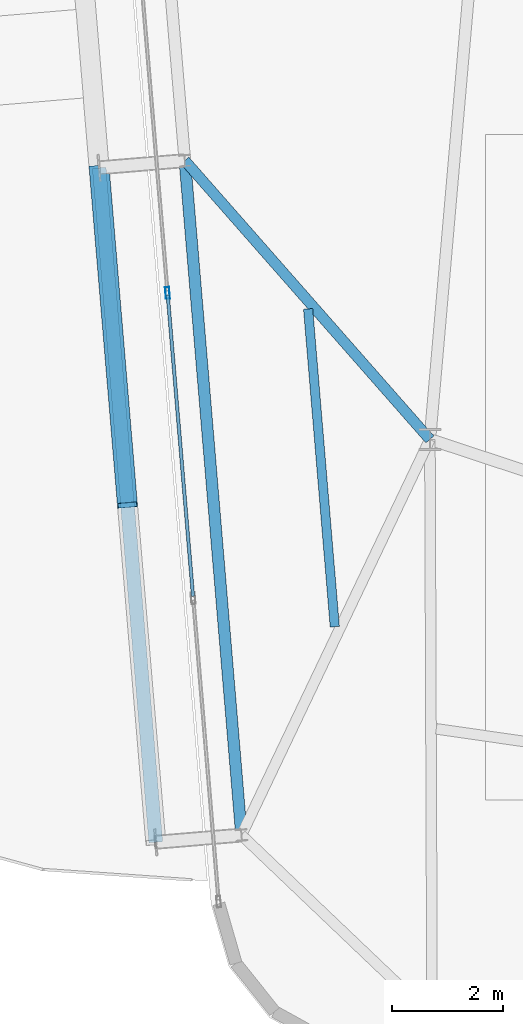
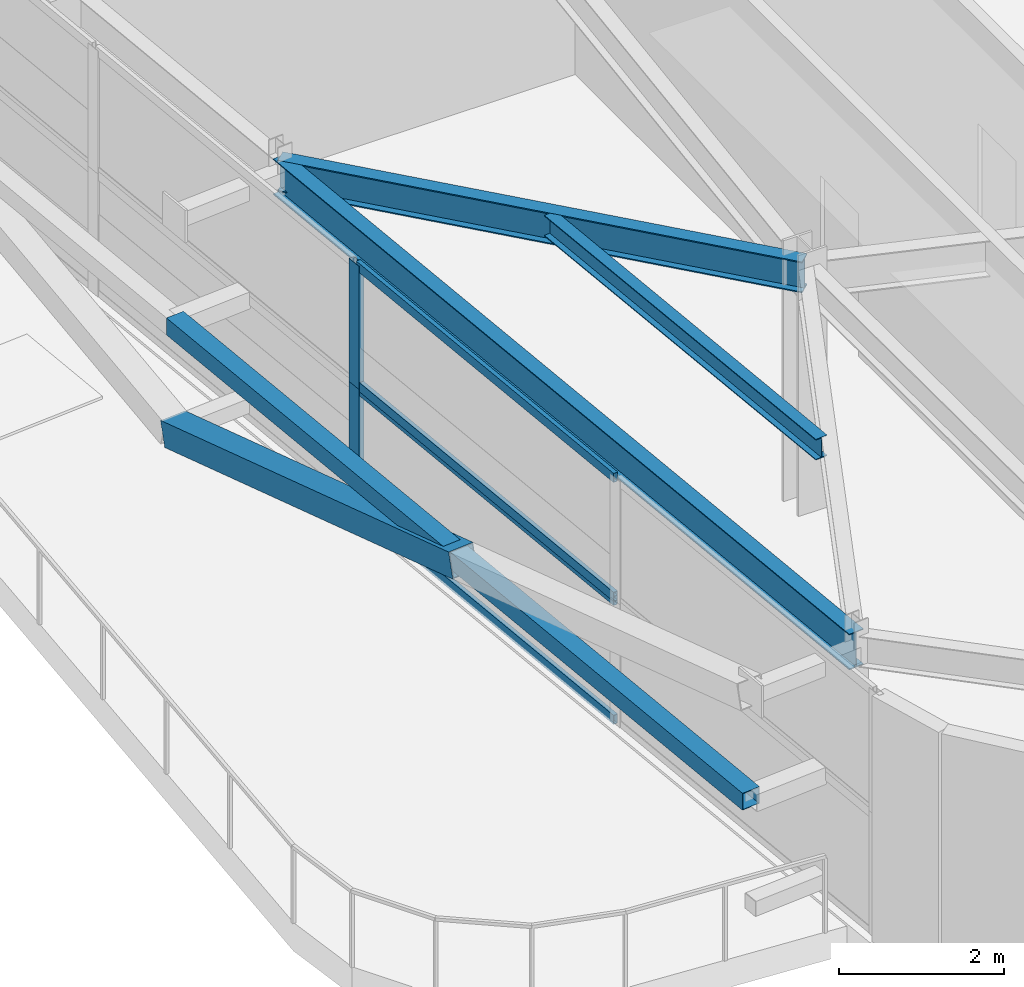
# One storey, part 8 of 38: 8 members, 3 beams, 2 elements without a shape of their own.
"""IFC4 building model written with IfcOpenShell, lengths in metres."""

from ifc_helpers import new_model, si_unit, direction, frame, origin, origin_2d, place, context, subcontext, project, spatial, hollow_rectangle, i_section, extrude, source, transform, mapped, material, layer, layer_set, material_profile, profile_set, type_object, element, aggregate, save


model = new_model("IFC4")

# Units and contexts
model_context = context("Model", 3, precision=1e-05, world=origin(), true_north=direction((0.0, 1.0)))
body_context = subcontext(model_context, "Body", "Model", "MODEL_VIEW")
ifc_project = project(units=[si_unit("LENGTHUNIT", "METRE"), si_unit("AREAUNIT", "SQUARE_METRE"), si_unit("VOLUMEUNIT", "CUBIC_METRE"), si_unit("PLANEANGLEUNIT", "RADIAN"), si_unit("MASSUNIT", "GRAM", prefix="KILO")], contexts=[model_context])

# Site, building, storey
site_placement = place(None, origin())
site = spatial("IfcSite", under=ifc_project, at=site_placement, CompositionType="ELEMENT")
building_placement = place(site_placement, origin())
building = spatial("IfcBuilding", under=site, at=building_placement, Name="Taldren Reach Tower", CompositionType="ELEMENT")
storey_placement = place(building_placement, frame((0.0, 0.0, 168.699951171875)))
storey = spatial("IfcBuildingStorey", under=building, at=storey_placement, Name="L51", CompositionType="ELEMENT", Elevation=168.699951171875)

# Beams
ifc_material_1 = material(Name="Steel Gr 350 (350PLUS)", Category="steel")
ifc_material_profile_1 = material_profile(ifc_material_1, i_section(OverallWidth=0.208984375, OverallDepth=0.528076171875, WebThickness=0.009521484375, FlangeThickness=0.01318359375, at=origin_2d()), Name="530UB82.0")
ifc_profile_set_1 = profile_set([ifc_material_profile_1], Name="Steel Gr 350 (350PLUS)")
beam_type_1 = type_object("IfcBeamType", Name="SP-UB530B", PredefinedType="SPANDREL", material=ifc_profile_set_1)
shared_shape_1 = source(origin(), body_context, "Body", "SweptSolid", [
    extrude(i_section(OverallWidth=0.208984375, OverallDepth=0.528076171875, WebThickness=0.009521484375, FlangeThickness=0.01318359375, at=origin_2d()), origin(), (0.0, 0.0, 1.0), 12.199951171875),
])
beam_1_placement = place(storey_placement, frame((13.582763671875, 17.525146484375, 3.365966796875), z_axis=(0.083688038336, -0.996492003099, 0.0), x_axis=(0.996492003099, 0.083688038336, 0.0)))
element("IfcBeam", 1, at=beam_1_placement, inside=storey, type_object=beam_type_1, Name="Perimeter spandrel B4 W2-W1 L51", PredefinedType="SPANDREL", context=body_context, shape_type="MappedRepresentation", body=[
    mapped(shared_shape_1, transform((0.0, 0.0, 0.0), scale=1.0)),
])
ifc_material_profile_2 = material_profile(ifc_material_1, i_section(OverallWidth=0.19091796875, OverallDepth=0.4599609375, WebThickness=0.010009765625, FlangeThickness=0.01611328125, at=origin_2d()), Name="460UB82.1")
ifc_profile_set_2 = profile_set([ifc_material_profile_2], Name="Steel Gr 350 (350PLUS)")
beam_type_2 = type_object("IfcBeamType", Name="BM-UB460A", PredefinedType="BEAM", material=ifc_profile_set_2)
shared_shape_2 = source(origin(), body_context, "Body", "SweptSolid", [
    extrude(i_section(OverallWidth=0.19091796875, OverallDepth=0.4599609375, WebThickness=0.010009765625, FlangeThickness=0.01611328125, at=origin_2d()), origin(), (0.0, 0.0, 1.0), 6.690673828125),
])
beam_2_placement = place(storey_placement, frame((18.0, 12.5, 3.400146484375), z_axis=(-0.660215677485, 0.751076067521, 0.0), x_axis=(-0.751076067521, -0.660215677485, 0.0)))
element("IfcBeam", 2, at=beam_2_placement, inside=storey, type_object=beam_type_2, Name="Primary floor girder B4-W2 L51", PredefinedType="BEAM", context=body_context, shape_type="MappedRepresentation", body=[
    mapped(shared_shape_2, transform((0.0, 0.0, 0.0), scale=1.0)),
])
ifc_material_2 = material(Name="Steel Gr 300 (300PLUS, 300 MPa)", Category="steel")
ifc_material_profile_3 = material_profile(ifc_material_2, i_section(OverallWidth=0.166015625, OverallDepth=0.306884765625, WebThickness=0.006591796875, FlangeThickness=0.01171875, at=origin_2d()), Name="310UB46.2")
ifc_profile_set_3 = profile_set([ifc_material_profile_3], Name="Steel Gr 300 (300PLUS, 300 MPa)")
beam_type_3 = type_object("IfcBeamType", Name="JS-UB310", PredefinedType="JOIST", material=ifc_profile_set_3)
shared_shape_3 = source(origin(), body_context, "Body", "SweptSolid", [
    extrude(i_section(OverallWidth=0.166015625, OverallDepth=0.306884765625, WebThickness=0.006591796875, FlangeThickness=0.01171875, at=origin_2d()), origin(), (0.0, 0.0, 1.0), 5.750244140625),
])
beam_3_placement = place(storey_placement, frame((16.285888671875, 9.122802734375, 3.4765625), z_axis=(-0.083642808993, 0.996495800545, 0.0), x_axis=(-0.996495800545, -0.083642808993, 0.0)))
element("IfcBeam", 3, at=beam_3_placement, inside=storey, type_object=beam_type_3, Name="Secondary floor joist B4 J6 L51", PredefinedType="JOIST", context=body_context, shape_type="MappedRepresentation", body=[
    mapped(shared_shape_3, transform((0.0, 0.0, 0.0), scale=1.0)),
])

# Members
ifc_material_3 = material(Name="Steel Gr 450 (C450L0)", Category="steel")
ifc_material_profile_4 = material_profile(ifc_material_3, hollow_rectangle(XDim=0.360107421875, YDim=0.360107421875, WallThickness=0.0126953125, at=origin_2d()), Name="360x360x12.7SHS")
ifc_profile_set_4 = profile_set([ifc_material_profile_4], Name="Steel Gr 450 (C450L0)")
member_type_1 = type_object("IfcMemberType", Name="MB-EXO356", PredefinedType="BRACE", material=ifc_profile_set_4)
shared_shape_4 = source(origin(), body_context, "Body", "SweptSolid", [
    extrude(hollow_rectangle(XDim=0.360107421875, YDim=0.360107421875, WallThickness=0.0126953125, at=origin_2d()), origin(), (0.0, 0.0, 1.0), 6.297607421875),
])
member_1_placement = place(storey_placement, frame((12.0380859375, 17.3955078125, 0.219970703125), z_axis=(0.081062125056, -0.965224672233, 0.248536242818), x_axis=(0.996492003099, 0.083688038336, 0.0)))
element("IfcMember", 4, at=member_1_placement, inside=storey, type_object=member_type_1, Name="Exoskeleton Diagrid Brace B4-W1 L51", PredefinedType="BRACE", context=body_context, shape_type="MappedRepresentation", body=[
    mapped(shared_shape_4, transform((0.0, 0.0, 0.0), scale=1.0)),
])
ifc_material_4 = material(Name="Steel Gr 350 (C350L0)", Category="steel")
ifc_material_profile_5 = material_profile(ifc_material_4, hollow_rectangle(XDim=0.25, YDim=0.25, WallThickness=0.010009765625, at=origin_2d()), Name="250x250x10.0SHS")
ifc_profile_set_5 = profile_set([ifc_material_profile_5], Name="Steel Gr 350 (C350L0)")
member_type_2 = type_object("IfcMemberType", Name="MB-POST250", PredefinedType="POST", material=ifc_profile_set_5)
shared_shape_5 = source(origin(), body_context, "Body", "SweptSolid", [
    extrude(hollow_rectangle(XDim=0.25, YDim=0.25, WallThickness=0.010009765625, at=origin_2d()), origin(), (0.0, 0.0, 1.0), 12.199951171875),
])
member_2_placement = place(storey_placement, frame((13.05908203125, 5.23828125, 1.78515625), z_axis=(-0.083688038336, 0.996492003099, 0.0), x_axis=(-0.996492003099, -0.083688038336, 0.0)))
element("IfcMember", 5, at=member_2_placement, inside=storey, type_object=member_type_2, Name="Exoskeleton mid-height ring chord B4-W1 L51", PredefinedType="POST", context=body_context, shape_type="MappedRepresentation", body=[
    mapped(shared_shape_5, transform((0.0, 0.0, 0.0), scale=1.0)),
])

# Curtain wall, member
ifc_material_5 = material(Name="Aluminium and Low-E Glass Unitised System", Category="aluminium")
ifc_layer = layer(ifc_material_5, 0.159912109375)
ifc_layer_set = layer_set([ifc_layer], Name="Aluminium and Low-E Glass Unitised System")
curtain_wall_type = type_object("IfcCurtainWallType", Name="CW-SYS-7", PredefinedType="NOTDEFINED", material=ifc_layer_set)
curtain_wall_1_placement = place(storey_placement, origin())
curtain_wall_1 = element("IfcCurtainWall", 6, at=curtain_wall_1_placement, inside=storey, type_object=curtain_wall_type, Name="Unitised curtain wall CW-L51-W2", PredefinedType="NOTDEFINED")
ifc_material_6 = material(Name="Anodised Aluminium 6063-T6", Category="aluminium")
ifc_material_profile_6 = material_profile(ifc_material_6, hollow_rectangle(XDim=0.074951171875, YDim=0.2099609375, WallThickness=0.00439453125, at=origin_2d()), Name="ALU-210x75x4.5RHS")
ifc_profile_set_6 = profile_set([ifc_material_profile_6], Name="Anodised Aluminium 6063-T6")
member_type_3 = type_object("IfcMemberType", Name="CW-MUL-200", PredefinedType="MULLION", material=ifc_profile_set_6)
shared_shape_6 = source(origin(), body_context, "Body", "SweptSolid", [
    extrude(hollow_rectangle(XDim=0.074951171875, YDim=0.2099609375, WallThickness=0.00439453125, at=origin_2d()), origin(), (0.0, 0.0, 1.0), 1.81494140625),
])
member_3_placement = place(storey_placement, frame((13.271240234375, 15.140869140625, 0.0), z_axis=(0.0, 0.0, 1.0), x_axis=(0.996492859829, 0.083677836428, 0.0)))
member_3 = element("IfcMember", 7, at=member_3_placement, type_object=member_type_3, Name="CW-7 mullion 3", PredefinedType="MULLION", context=body_context, shape_type="MappedRepresentation", body=[
    mapped(shared_shape_6, transform((0.0, 0.0, 0.0), scale=1.0)),
])

curtain_wall_2_placement = place(storey_placement, origin())
curtain_wall_2 = element("IfcCurtainWall", 8, at=curtain_wall_2_placement, inside=storey, type_object=curtain_wall_type, Name="Unitised curtain wall CW-L51-W2-T2", PredefinedType="NOTDEFINED")
shared_shape_7 = source(origin(), body_context, "Body", "SweptSolid", [
    extrude(hollow_rectangle(XDim=0.074951171875, YDim=0.2099609375, WallThickness=0.00439453125, at=origin_2d()), origin(), (0.0, 0.0, 1.0), 1.815185546875),
])
member_4_placement = place(storey_placement, frame((13.271240234375, 15.140869140625, 1.81494140625), z_axis=(0.0, 0.0, 1.0), x_axis=(0.996492859829, 0.083677836428, 0.0)))
member_4 = element("IfcMember", 9, at=member_4_placement, type_object=member_type_3, Name="CW-7 mullion 3", PredefinedType="MULLION", context=body_context, shape_type="MappedRepresentation", body=[
    mapped(shared_shape_7, transform((0.0, 0.0, 0.0), scale=1.0)),
])

# Member
ifc_material_profile_7 = material_profile(ifc_material_6, hollow_rectangle(XDim=0.06005859375, YDim=0.135009765625, WallThickness=0.00341796875, at=origin_2d()), Name="ALU-135x60x3.5RHS")
ifc_profile_set_7 = profile_set([ifc_material_profile_7], Name="Anodised Aluminium 6063-T6")
member_type_4 = type_object("IfcMemberType", Name="CW-TRN-150", PredefinedType="USERDEFINED", material=ifc_profile_set_7)
shared_shape_8 = source(origin(), body_context, "Body", "SweptSolid", [
    extrude(hollow_rectangle(XDim=0.06005859375, YDim=0.135009765625, WallThickness=0.00341796875, at=origin_2d()), origin(), (0.0, 0.0, 1.0), 5.449951171875),
])
member_5_placement = place(storey_placement, frame((13.2744140625, 15.103515625, 0.030029296875), z_axis=(0.083679407316, -0.996492727917, 0.0), x_axis=(0.996492727917, 0.083679407316, 0.0)))
member_5 = element("IfcMember", 10, at=member_5_placement, type_object=member_type_4, Name="CW-7 transom 3.1", ObjectType="TRANSOM", PredefinedType="USERDEFINED", context=body_context, shape_type="MappedRepresentation", body=[
    mapped(shared_shape_8, transform((0.0, 0.0, 0.0), scale=1.0)),
])

member_6_placement = place(storey_placement, frame((13.2744140625, 15.103515625, 1.78515625), z_axis=(0.083679407316, -0.996492727917, 0.0), x_axis=(0.996492727917, 0.083679407316, 0.0)))
member_6 = element("IfcMember", 11, at=member_6_placement, type_object=member_type_4, Name="CW-7 transom 3.2", ObjectType="TRANSOM", PredefinedType="USERDEFINED", context=body_context, shape_type="MappedRepresentation", body=[
    mapped(shared_shape_8, transform((0.0, 0.0, 0.0), scale=1.0)),
])

aggregate(curtain_wall_1, [member_3, member_5, member_6])

member_7_placement = place(storey_placement, frame((13.2744140625, 15.103515625, 1.844970703125), z_axis=(0.083679407316, -0.996492727917, 0.0), x_axis=(0.996492727917, 0.083679407316, 0.0)))
member_7 = element("IfcMember", 12, at=member_7_placement, type_object=member_type_4, Name="CW-7 transom 3.1", ObjectType="TRANSOM", PredefinedType="USERDEFINED", context=body_context, shape_type="MappedRepresentation", body=[
    mapped(shared_shape_8, transform((0.0, 0.0, 0.0), scale=1.0)),
])

member_8_placement = place(storey_placement, frame((13.2744140625, 15.103515625, 3.60009765625), z_axis=(0.083679407316, -0.996492727917, 0.0), x_axis=(0.996492727917, 0.083679407316, 0.0)))
member_8 = element("IfcMember", 13, at=member_8_placement, type_object=member_type_4, Name="CW-7 transom 3.2", ObjectType="TRANSOM", PredefinedType="USERDEFINED", context=body_context, shape_type="MappedRepresentation", body=[
    mapped(shared_shape_8, transform((0.0, 0.0, 0.0), scale=1.0)),
])

aggregate(curtain_wall_2, [member_4, member_7, member_8])

save(model, "model.ifc")
